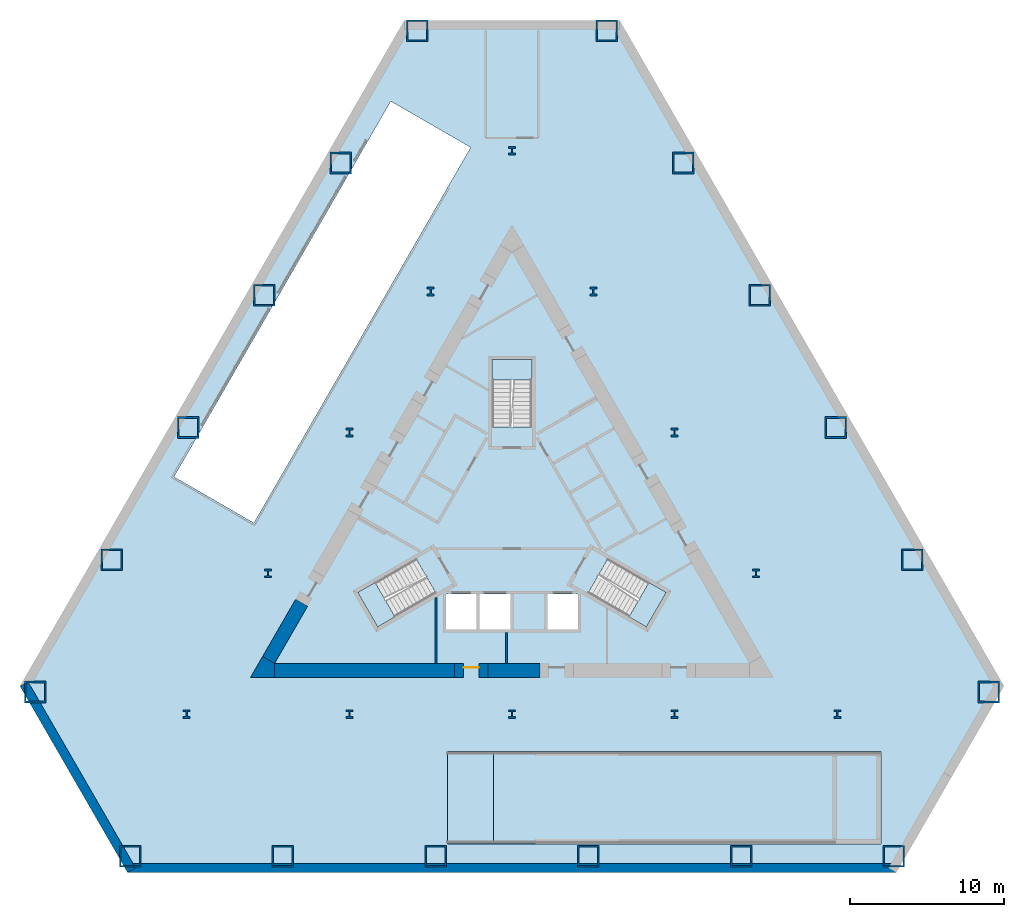
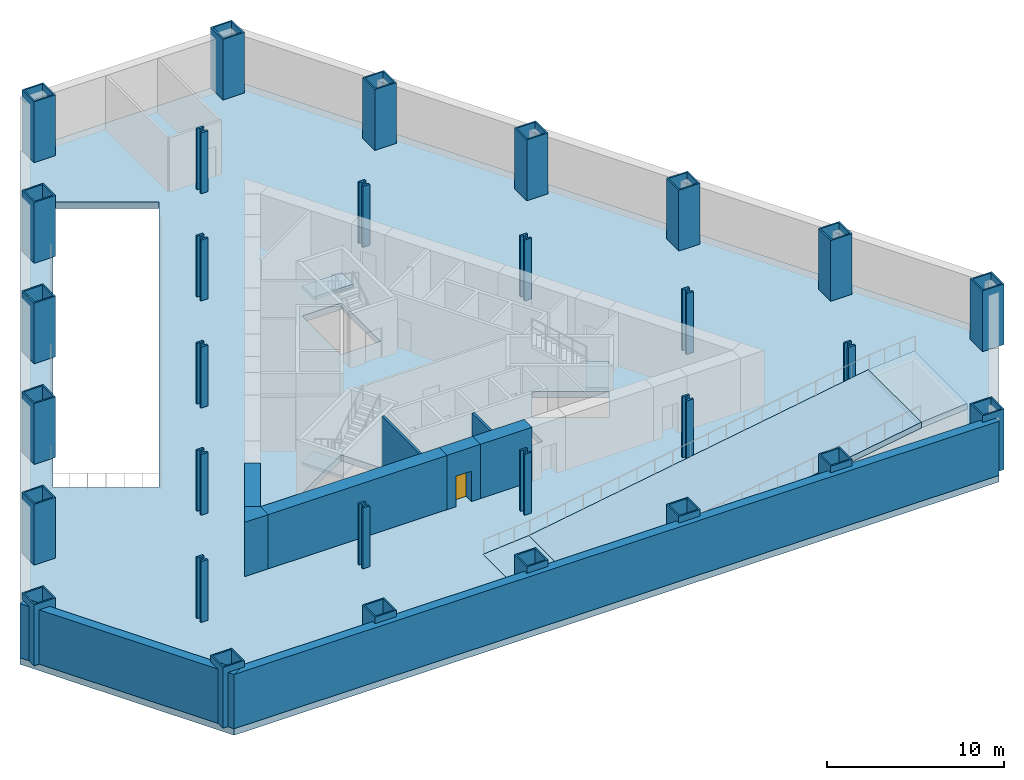
# One storey, part 1 of 5: 30 columns, 9 walls, 7 slabs, 1 door, 1 opening, 3 elements without a shape of their own.
"""IFC4 building model written with IfcOpenShell, lengths in metres."""

from ifc_helpers import new_model, si_unit, direction, frame, frame_2d, origin, origin_2d, place, context, subcontext, project, spatial, polyline, rectangle, hollow_rectangle, i_section, outline, extrude, material, layer, layer_set, material_profile, profile_set, type_object, element, fill, aggregate, save


model = new_model("IFC4")

# Units and contexts
model_context = context("Model", 3, precision=1e-05, world=origin(), true_north=direction((0.0, 1.0)))
body_context = subcontext(model_context, "Body", "Model", "MODEL_VIEW")
ifc_project = project(units=[si_unit("LENGTHUNIT", "METRE"), si_unit("AREAUNIT", "SQUARE_METRE"), si_unit("VOLUMEUNIT", "CUBIC_METRE"), si_unit("PLANEANGLEUNIT", "RADIAN"), si_unit("MASSUNIT", "GRAM", prefix="KILO")], contexts=[model_context])

# Site, building, storey
site_placement = place(None, origin())
site = spatial("IfcSite", under=ifc_project, at=site_placement, CompositionType="ELEMENT")
building_placement = place(site_placement, origin())
building = spatial("IfcBuilding", under=site, at=building_placement, Name="Cormorant Prow Tower", CompositionType="ELEMENT")
storey_placement = place(building_placement, frame((0.0, 0.0, -4.199951171875)))
storey = spatial("IfcBuildingStorey", under=building, at=storey_placement, Name="B1", CompositionType="ELEMENT", Elevation=-4.199951171875)

# Columns
ifc_material_1 = material(Name="Structural steel ASTM A572 Gr 50", Category="steel")
ifc_material_profile_1 = material_profile(ifc_material_1, hollow_rectangle(XDim=1.39990234375, YDim=1.39990234375, WallThickness=0.10009765625, at=origin_2d()), Name="Box 1400x1400x100")
ifc_profile_set_1 = profile_set([ifc_material_profile_1], Name="Structural steel ASTM A572 Gr 50")
column_type_1 = type_object("IfcColumnType", Name="Perimeter box column 1400x1400x100", PredefinedType="COLUMN", material=ifc_profile_set_1)
for number, where, z_axis, x_axis, name in (
    (1, (-24.830322265625, -21.4599609375, 0.0), (0.0, 0.0, 1.0), (1.0, 0.0, 0.0), "Perimeter column at S00 B1"),
    (2, (-14.898193359375, -21.4599609375, 0.0), (0.0, 0.0, 1.0), (1.0, 0.0, 0.0), "Perimeter column at S02 B1"),
    (3, (-4.966064453125, -21.4599609375, 0.0), (0.0, 0.0, 1.0), (1.0, 0.0, 0.0), "Perimeter column at S04 B1"),
    (4, (4.966064453125, -21.4599609375, 0.0), (0.0, 0.0, 1.0), (1.0, 0.0, 0.0), "Perimeter column at S06 B1"),
    (5, (14.898193359375, -21.4599609375, 0.0), (0.0, 0.0, 1.0), (1.0, 0.0, 0.0), "Perimeter column at S08 B1"),
    (6, (24.830322265625, -21.4599609375, 0.0), (0.0, 0.0, 1.0), (1.0, 0.0, 0.0), "Perimeter column at ESE00 B1"),
    (7, (31.0, -10.773681640625, 0.0), (0.0, 0.0, 1.0), (1.0, 0.0, 0.0), "Perimeter column at ENE00 B1"),
    (8, (26.033935546875, -2.17236328125, 0.0), (0.0, 0.0, 1.0), (1.0, 0.0, 0.0), "Perimeter column at ENE02 B1"),
    (9, (21.06787109375, 6.42919921875, 0.0), (0.0, 0.0, 1.0), (1.0, 0.0, 0.0), "Perimeter column at ENE04 B1"),
    (10, (16.101806640625, 15.03076171875, 0.0), (0.0, 0.0, 1.0), (1.0, 0.0, 0.0), "Perimeter column at ENE06 B1"),
    (11, (11.1357421875, 23.632080078125, 0.0), (0.0, 0.0, 1.0), (1.0, 0.0, 0.0), "Perimeter column at ENE08 B1"),
    (12, (6.169677734375, 32.233642578125, 0.0), (0.0, 0.0, 1.0), (1.0, 0.0, 0.0), "Perimeter column at N00 B1"),
    (13, (-6.169677734375, 32.233642578125, 0.0), (0.0, 0.0, 1.0), (1.0, 0.0, 0.0), "Perimeter column at WNW00 B1"),
    (14, (-11.1357421875, 23.632080078125, 0.0), (0.0, 0.0, 1.0), (1.0, 0.0, 0.0), "Perimeter column at WNW02 B1"),
    (15, (-16.101806640625, 15.03076171875, 0.0), (0.0, 0.0, 1.0), (1.0, 0.0, 0.0), "Perimeter column at WNW04 B1"),
    (16, (-21.06787109375, 6.42919921875, 0.0), (0.0, 0.0, 1.0), (1.0, 0.0, 0.0), "Perimeter column at WNW06 B1"),
    (17, (-26.033935546875, -2.17236328125, 0.0), (0.0, 0.0, 1.0), (1.0, 0.0, 0.0), "Perimeter column at WNW08 B1"),
    (18, (-31.0, -10.773681640625, 0.0), (0.0, 0.0, 1.0), (1.0, 0.0, 0.0), "Perimeter column at WSW00 B1"),
):
    element("IfcColumn", number, at=place(storey_placement, frame(where, z_axis=z_axis, x_axis=x_axis)), inside=storey, type_object=column_type_1, Name=name, PredefinedType="COLUMN", context=body_context, shape_type="SweptSolid", body=[
        extrude(hollow_rectangle(XDim=1.39990234375, YDim=1.39990234375, WallThickness=0.10009765625, at=origin_2d()), origin(), (0.0, 0.0, 1.0), 4.199951171875),
    ])
ifc_material_2 = material(Name="Structural steel ASTM A992 Gr 50", Category="steel")
ifc_material_profile_2 = material_profile(ifc_material_2, i_section(OverallWidth=0.454345703125, OverallDepth=0.569580078125, WebThickness=0.077880859375, FlangeThickness=0.124755859375, at=origin_2d()), Name="W14x730")
ifc_profile_set_2 = profile_set([ifc_material_profile_2], Name="Structural steel ASTM A992 Gr 50")
column_type_2 = type_object("IfcColumnType", Name="Ring column W14x730", PredefinedType="COLUMN", material=ifc_profile_set_2)
for number, where, z_axis, x_axis, name in (
    (19, (0.0, 24.429931640625, 0.0), (0.0, 0.0, 1.0), (1.0, 0.0, 0.0), "Ring column 1 B1"),
    (20, (-5.289306640625, 15.268798828125, 0.0), (0.0, 0.0, 1.0), (1.0, 0.0, 0.0), "Ring column 2 B1"),
    (21, (-10.578369140625, 6.107421875, 0.0), (0.0, 0.0, 1.0), (1.0, 0.0, 0.0), "Ring column 3 B1"),
    (22, (-15.86767578125, -3.0537109375, 0.0), (0.0, 0.0, 1.0), (1.0, 0.0, 0.0), "Ring column 4 B1"),
    (23, (-21.156982421875, -12.21484375, 0.0), (0.0, 0.0, 1.0), (1.0, 0.0, 0.0), "Ring column 5 B1"),
    (24, (-10.578369140625, -12.21484375, 0.0), (0.0, 0.0, 1.0), (1.0, 0.0, 0.0), "Ring column 6 B1"),
    (25, (0.0, -12.21484375, 0.0), (0.0, 0.0, 1.0), (1.0, 0.0, 0.0), "Ring column 7 B1"),
    (26, (10.578369140625, -12.21484375, 0.0), (0.0, 0.0, 1.0), (1.0, 0.0, 0.0), "Ring column 8 B1"),
    (27, (21.156982421875, -12.21484375, 0.0), (0.0, 0.0, 1.0), (1.0, 0.0, 0.0), "Ring column 9 B1"),
    (28, (15.86767578125, -3.0537109375, 0.0), (0.0, 0.0, 1.0), (1.0, 0.0, 0.0), "Ring column 10 B1"),
    (29, (10.578369140625, 6.107421875, 0.0), (0.0, 0.0, 1.0), (1.0, 0.0, 0.0), "Ring column 11 B1"),
    (30, (5.289306640625, 15.268798828125, 0.0), (0.0, 0.0, 1.0), (1.0, 0.0, 0.0), "Ring column 12 B1"),
):
    element("IfcColumn", number, at=place(storey_placement, frame(where, z_axis=z_axis, x_axis=x_axis)), inside=storey, type_object=column_type_2, Name=name, PredefinedType="COLUMN", context=body_context, shape_type="SweptSolid", body=[
        extrude(i_section(OverallWidth=0.454345703125, OverallDepth=0.569580078125, WebThickness=0.077880859375, FlangeThickness=0.124755859375, at=origin_2d()), origin(), (0.0, 0.0, 1.0), 4.199951171875),
    ])

# Slab
ifc_material_3 = material(Name="Concrete C40/50", Category="concrete")
ifc_layer_1 = layer(ifc_material_3, 0.449951171875)
ifc_layer_set_1 = layer_set([ifc_layer_1], Name="Concrete C40/50")
slab_type_1 = type_object("IfcSlabType", Name="Post-tensioned flat slab 450", PredefinedType="FLOOR", material=ifc_layer_set_1)
slab_1_placement = place(storey_placement, frame((0.0, 0.0, -0.449951171875)))
element("IfcSlab", 31, at=slab_1_placement, inside=storey, type_object=slab_type_1, Name="Floor slab B1", PredefinedType="FLOOR", context=body_context, shape_type="SweptSolid", body=[
    extrude(outline(polyline([(-17.0, 15.58837890625), (-19.5, 11.25830078125), (-22.0, 6.92822265625), (-24.5, 2.59814453125), (-27.0, -1.73193359375), (-29.5, -6.062255859375), (-32.0, -10.392333984375), (-28.5, -16.45458984375), (-25.0, -22.5166015625), (-20.0, -22.5166015625), (-15.0, -22.5166015625), (-10.0, -22.5166015625), (-5.0, -22.5166015625), (0.0, -22.5166015625), (5.0, -22.5166015625), (10.0, -22.5166015625), (15.0, -22.5166015625), (20.0, -22.5166015625), (25.0, -22.5166015625), (28.5, -16.45458984375), (32.0, -10.392333984375), (29.5, -6.062255859375), (27.0, -1.73193359375), (24.5, 2.59814453125), (22.0, 6.92822265625), (19.5, 11.25830078125), (17.0, 15.58837890625), (14.5, 19.918701171875), (12.0, 24.248779296875), (9.5, 28.578857421875), (7.0, 32.908935546875), (0.0, 32.908935546875), (-7.0, 32.908935546875), (-9.5, 28.578857421875), (-12.0, 24.248779296875), (-14.5, 19.918701171875), (-17.0, 15.58837890625)]), holes=[polyline([(-2.300048828125, -6.699951171875), (-4.300048828125, -6.699951171875), (-4.300048828125, -4.39990234375), (-2.300048828125, -4.39990234375), (-2.300048828125, -6.699951171875)]), polyline([(-2.10009765625, -6.699951171875), (-2.10009765625, -4.39990234375), (-0.10009765625, -4.39990234375), (-0.10009765625, -6.699951171875), (-2.10009765625, -6.699951171875)]), polyline([(2.300048828125, -4.39990234375), (4.300048828125, -4.39990234375), (4.300048828125, -6.699951171875), (2.300048828125, -6.699951171875), (2.300048828125, -4.39990234375)]), polyline([(-10.031982421875, -4.2978515625), (-6.241455078125, -2.109375), (-4.947509765625, -4.3505859375), (-8.738037109375, -6.5390625), (-10.031982421875, -4.2978515625)]), polyline([(4.947509765625, -4.3505859375), (6.241455078125, -2.109375), (10.031982421875, -4.2978515625), (8.738037109375, -6.5390625), (4.947509765625, -4.3505859375)]), polyline([(-1.2939453125, 6.459716796875), (-1.2939453125, 10.8369140625), (1.2939453125, 10.8369140625), (1.2939453125, 6.459716796875), (-1.2939453125, 6.459716796875)]), polyline([(-4.199951171875, -20.64990234375), (-4.199951171875, -14.64990234375), (-0.25, -14.64990234375), (-0.25, -20.64990234375), (-4.199951171875, -20.64990234375)]), polyline([(-16.787353515625, 0.2236328125), (-21.9833984375, 3.2236328125), (-7.88330078125, 27.6455078125), (-2.687255859375, 24.6455078125), (-16.787353515625, 0.2236328125)])]), origin(), (0.0, 0.0, 1.0), 0.449951171875),
])

# Stair, slab
ifc_material_4 = material(Name="Exit stair 24 risers")
stair_type = type_object("IfcStairType", Name="Exit stair 24 risers", PredefinedType="HALF_TURN_STAIR", material=ifc_material_4)
stair_1_placement = place(storey_placement, origin())
stair_1 = element("IfcStair", 32, at=stair_1_placement, inside=storey, type_object=stair_type, Name="B1 Exit stair ST1", PredefinedType="HALF_TURN_STAIR")
ifc_material_5 = material(Name="Concrete 5000 psi", Category="concrete")
ifc_layer_2 = layer(ifc_material_5, 0.199951171875)
ifc_layer_set_2 = layer_set([ifc_layer_2], Name="Concrete 5000 psi")
slab_type_2 = type_object("IfcSlabType", Name="Stair landing 200", PredefinedType="LANDING", material=ifc_layer_set_2)
slab_2_placement = place(storey_placement, frame((0.0, 0.0, 1.89990234375)))
slab_2 = element("IfcSlab", 33, at=slab_2_placement, type_object=slab_type_2, Name="ST1 landing 1", PredefinedType="LANDING", context=body_context, shape_type="SweptSolid", body=[
    extrude(outline(polyline([(-8.90185546875, -3.645263671875), (-10.031982421875, -4.2978515625), (-8.738037109375, -6.5390625), (-7.60791015625, -5.886474609375), (-8.90185546875, -3.645263671875)])), origin(), (0.0, 0.0, 1.0), 0.199951171875),
])
aggregate(stair_1, [slab_2])

stair_2_placement = place(storey_placement, origin())
stair_2 = element("IfcStair", 34, at=stair_2_placement, inside=storey, type_object=stair_type, Name="B1 Exit stair ST2", PredefinedType="HALF_TURN_STAIR")
slab_3_placement = place(storey_placement, frame((0.0, 0.0, 1.89990234375)))
slab_3 = element("IfcSlab", 35, at=slab_3_placement, type_object=slab_type_2, Name="ST2 landing 1", PredefinedType="LANDING", context=body_context, shape_type="SweptSolid", body=[
    extrude(outline(polyline([(7.60791015625, -5.886474609375), (8.738037109375, -6.5390625), (10.031982421875, -4.2978515625), (8.90185546875, -3.645263671875), (7.60791015625, -5.886474609375)])), origin(), (0.0, 0.0, 1.0), 0.199951171875),
])
aggregate(stair_2, [slab_3])

stair_3_placement = place(storey_placement, origin())
stair_3 = element("IfcStair", 36, at=stair_3_placement, inside=storey, type_object=stair_type, Name="B1 Exit stair ST3", PredefinedType="HALF_TURN_STAIR")
slab_4_placement = place(storey_placement, frame((0.0, 0.0, 1.89990234375)))
slab_4 = element("IfcSlab", 37, at=slab_4_placement, type_object=slab_type_2, Name="ST3 landing 1", PredefinedType="LANDING", context=body_context, shape_type="SweptSolid", body=[
    extrude(outline(polyline([(1.2939453125, 9.53173828125), (1.2939453125, 10.8369140625), (-1.2939453125, 10.8369140625), (-1.2939453125, 9.53173828125), (1.2939453125, 9.53173828125)])), origin(), (0.0, 0.0, 1.0), 0.199951171875),
])
aggregate(stair_3, [slab_4])

# Slabs
ifc_material_6 = material(Name="Concrete 5000 psi", Category="concrete")
ifc_layer_3 = layer(ifc_material_6, 0.39990234375)
ifc_layer_set_3 = layer_set([ifc_layer_3], Name="Concrete 5000 psi")
slab_type_3 = type_object("IfcSlabType", Name="Vehicle ramp R1 slab 400", PredefinedType="USERDEFINED", material=ifc_layer_set_3)
slab_5_placement = place(storey_placement, frame((24.0, -14.64990234375, 4.199951171875), z_axis=(-0.083045479854, 0.0, 0.996545758245), x_axis=(-0.996545758245, 0.0, -0.083045479854)))
element("IfcSlab", 38, at=slab_5_placement, inside=storey, type_object=slab_type_3, Name="Vehicle ramp R1 slab 1", ObjectType="RAMP SLAB", PredefinedType="USERDEFINED", context=body_context, shape_type="SweptSolid", body=[
    extrude(outline(polyline([(0.0, 0.0), (1.505199322349037, 0.0), (3.010398644698074, 0.0), (3.010398644698074, 6.0), (1.505199322349037, 6.0), (0.0, 6.0), (0.0, 0.0)])), origin(), (0.083045479854, 0.0, -0.996545758245), 0.4013671875),
])
slab_6_placement = place(storey_placement, frame((21.0, -14.64990234375, 3.949951171875), z_axis=(-0.164397228215, 0.0, 0.986394217012), x_axis=(-0.986394217012, 0.0, -0.164397228215)))
element("IfcSlab", 39, at=slab_6_placement, inside=storey, type_object=slab_type_3, Name="Vehicle ramp R1 slab 2", ObjectType="RAMP SLAB", PredefinedType="USERDEFINED", context=body_context, shape_type="SweptSolid", body=[
    extrude(outline(polyline([(0.0, 0.0), (1.5003815781312153, 0.0), (3.000803292304475, 0.0), (4.50118487043569, 0.0), (6.00160658460895, 0.0), (7.501988162740165, 0.0), (9.00236974087138, 0.0), (10.503032273945278, 0.0), (12.003413852076493, 0.0), (13.503795430207708, 0.0), (15.004217144380968, 0.0), (16.504598722512185, 0.0), (18.004980300643396, 0.0), (19.505402014816656, 0.0), (21.005783592947875, 0.0), (22.50616517107909, 0.0), (22.50616517107909, 6.0), (21.005783592947875, 6.0), (19.505402014816656, 6.0), (18.004980300643396, 6.0), (16.504598722512185, 6.0), (15.004217144380968, 6.0), (13.503795430207708, 6.0), (12.003413852076493, 6.0), (10.503032273945278, 6.0), (9.00236974087138, 6.0), (7.501988162740165, 6.0), (6.00160658460895, 6.0), (4.50118487043569, 6.0), (3.000803292304475, 6.0), (1.5003815781312153, 6.0), (0.0, 6.0), (0.0, 0.0)])), origin(), (0.164397228215, 0.0, -0.986394217012), 0.405517578125),
])
slab_7_placement = place(storey_placement, frame((-1.199951171875, -14.64990234375, 0.25), z_axis=(-0.083045479854, 0.0, 0.996545758245), x_axis=(-0.996545758245, 0.0, -0.083045479854)))
element("IfcSlab", 40, at=slab_7_placement, inside=storey, type_object=slab_type_3, Name="Vehicle ramp R1 slab 3", ObjectType="RAMP SLAB", PredefinedType="USERDEFINED", context=body_context, shape_type="SweptSolid", body=[
    extrude(outline(polyline([(0.0, 0.0), (1.505199322349037, 0.0), (3.010398644698074, 0.0), (3.010398644698074, 6.0), (1.505199322349037, 6.0), (0.0, 6.0), (0.0, 0.0)])), origin(), (0.083045479854, 0.0, -0.996545758245), 0.4013671875),
])

# Walls
ifc_material_7 = material(Name="Concrete C45/55", Category="concrete")
ifc_layer_4 = layer(ifc_material_7, 0.60009765625)
ifc_layer_set_4 = layer_set([ifc_layer_4], Name="Concrete C45/55")
wall_type_1 = type_object("IfcWallType", Name="Basement retaining wall 600", PredefinedType="SOLIDWALL", material=ifc_layer_set_4)
wall_1_placement = place(storey_placement, frame((-25.0, -22.216552734375, 0.0), z_axis=(0.0, 0.0, 1.0), x_axis=(1.0, 0.0, 0.0)))
element("IfcWall", 41, at=wall_1_placement, inside=storey, type_object=wall_type_1, Name="Basement retaining wall 1 at B1", PredefinedType="SOLIDWALL", context=body_context, shape_type="SweptSolid", body=[
    extrude(rectangle(XDim=50.0, YDim=0.60009765625, at=frame_2d((25.0, 0.0))), origin(), (0.0, 0.0, 1.0), 3.75),
])
wall_2_placement = place(storey_placement, frame((-31.740234375, -10.2421875, 0.0), z_axis=(0.0, 0.0, 1.0), x_axis=(0.499995173006, -0.866028190633, 0.0)))
element("IfcWall", 42, at=wall_2_placement, inside=storey, type_object=wall_type_1, Name="Basement retaining wall 7 at B1", PredefinedType="SOLIDWALL", context=body_context, shape_type="SweptSolid", body=[
    extrude(rectangle(XDim=14.000244140625, YDim=0.60009765625, at=frame_2d((7.0, 0.0))), origin(), (0.0, 0.0, 1.0), 3.75),
])
ifc_material_8 = material(Name="Gypsum board partition")
ifc_layer_5 = layer(ifc_material_8, 0.14990234375)
ifc_layer_set_5 = layer_set([ifc_layer_5], Name="Gypsum board partition")
wall_type_2 = type_object("IfcWallType", Name="Core partition 150", PredefinedType="PARTITIONING", material=ifc_layer_set_5)
wall_3_placement = place(storey_placement, frame((-0.361328125, -8.9150390625, 0.0), z_axis=(0.0, 0.0, 1.0), x_axis=(0.0, 1.0, 0.0)))
element("IfcWall", 43, at=wall_3_placement, inside=storey, type_object=wall_type_2, Name="Service room partition", PredefinedType="PARTITIONING", context=body_context, shape_type="SweptSolid", body=[
    extrude(rectangle(XDim=2.009033203125, YDim=0.14990234375, at=frame_2d((1.00439453125, 0.0))), origin(), (0.0, 0.0, 1.0), 3.75),
])
wall_4_placement = place(storey_placement, frame((-4.937744140625, -8.9150390625, 0.0), z_axis=(0.0, 0.0, 1.0), x_axis=(0.0, 1.0, 0.0)))
element("IfcWall", 44, at=wall_4_placement, inside=storey, type_object=wall_type_2, Name="Service room partition", PredefinedType="PARTITIONING", context=body_context, shape_type="SweptSolid", body=[
    extrude(rectangle(XDim=4.291259765625, YDim=0.14990234375, at=frame_2d((2.1455078125, 0.0))), origin(), (0.0, 0.0, 1.0), 3.75),
])
ifc_material_9 = material(Name="Concrete 8000 psi", Category="concrete")
ifc_layer_6 = layer(ifc_material_9, 0.89990234375)
ifc_layer_set_6 = layer_set([ifc_layer_6], Name="Concrete 8000 psi")
wall_type_3 = type_object("IfcWallType", Name="Core shear wall 900", PredefinedType="SHEAR", material=ifc_layer_set_6)
wall_5_placement = place(storey_placement, frame((-15.441162109375, -9.364990234375, 0.0), z_axis=(0.0, 0.0, 1.0), x_axis=(1.0, 0.0, 0.0)))
element("IfcWall", 45, at=wall_5_placement, inside=storey, type_object=wall_type_3, Name="Core wall", PredefinedType="SHEAR", context=body_context, shape_type="SweptSolid", body=[
    extrude(rectangle(XDim=11.691650390625, YDim=0.89990234375, at=frame_2d((5.845703125, 0.0))), origin(), (0.0, 0.0, 1.0), 3.75),
])
wall_6_placement = place(storey_placement, frame((-1.549560546875, -9.364990234375, 0.0), z_axis=(0.0, 0.0, 1.0), x_axis=(1.0, 0.0, 0.0)))
element("IfcWall", 46, at=wall_6_placement, inside=storey, type_object=wall_type_3, Name="Core wall", PredefinedType="SHEAR", context=body_context, shape_type="SweptSolid", body=[
    extrude(rectangle(XDim=3.357177734375, YDim=0.89990234375, at=frame_2d((1.6787109375, 0.0))), origin(), (0.0, 0.0, 1.0), 3.75),
])
wall_7_placement = place(storey_placement, frame((-13.68310546875, -4.969970703125, 0.0), z_axis=(0.0, 0.0, 1.0), x_axis=(-0.499996331799, -0.866027521611, 0.0)))
element("IfcWall", 47, at=wall_7_placement, inside=storey, type_object=wall_type_3, Name="Core wall", PredefinedType="SHEAR", context=body_context, shape_type="SweptSolid", body=[
    extrude(rectangle(XDim=4.29541015625, YDim=0.89990234375, at=frame_2d((2.147705078125, 0.0))), origin(), (0.0, 0.0, 1.0), 3.75),
])
wall_8_placement = place(storey_placement, origin())
element("IfcWall", 48, at=wall_8_placement, inside=storey, type_object=wall_type_3, Name="Core wall corner", PredefinedType="SHEAR", context=body_context, shape_type="SweptSolid", body=[
    extrude(outline(polyline([(-16.220703125, -8.465087890625), (-15.441162109375, -8.9150390625), (-15.441162109375, -9.81494140625), (-17.0, -9.81494140625), (-16.220703125, -8.465087890625)])), origin(), (0.0, 0.0, 1.0), 3.75),
])

# Wall, opening, door
wall_9_placement = place(storey_placement, frame((-3.74951171875, -9.364990234375, 0.0), z_axis=(0.0, 0.0, 1.0), x_axis=(1.0, 0.0, 0.0)))
wall_9 = element("IfcWall", 49, at=wall_9_placement, inside=storey, type_object=wall_type_3, Name="Core wall door panel", PredefinedType="SHEAR", context=body_context, shape_type="SweptSolid", body=[
    extrude(rectangle(XDim=2.199951171875, YDim=0.89990234375, at=frame_2d((1.10009765625, 0.0))), origin(), (0.0, 0.0, 1.0), 3.75),
])
opening_placement = place(wall_9_placement, frame((0.60009765625, 0.0, 0.0)))
opening = element("IfcOpeningElement", 50, at=opening_placement, cuts=wall_9, Name="Opening B1-C10", PredefinedType="OPENING", context=body_context, shape_type="SweptSolid", body=[
    extrude(rectangle(XDim=1.0, YDim=2.10009765625, at=frame_2d((0.5, 1.050048828125))), frame((0.0, 0.4599609375, 0.0), z_axis=(0.0, -1.0, 0.0), x_axis=(1.0, 0.0, 0.0)), (0.0, 0.0, 1.0), 0.919921875),
])
ifc_material_10 = material(Name="Painted steel", Category="steel")
door_type = type_object("IfcDoorType", Name="Service door 1000x2100", OperationType="NOTDEFINED", PredefinedType="DOOR", material=ifc_material_10)
door_placement = place(opening_placement, origin())
door = element("IfcDoor", 51, at=door_placement, inside=storey, type_object=door_type, Name="Core door, Housekeeping store", OperationType="SINGLE_SWING_RIGHT", OverallHeight=2.10009765625, OverallWidth=1.0, PredefinedType="DOOR", context=body_context, shape_type="SweptSolid", body=[
    extrude(rectangle(XDim=1.0, YDim=2.10009765625, at=frame_2d((0.5, 1.050048828125))), frame((0.0, 0.205078125, 0.0), z_axis=(0.0, -1.0, 0.0), x_axis=(1.0, 0.0, 0.0)), (0.0, 0.0, 1.0), 0.050048828125),
])
fill(opening, door)

save(model, "model.ifc")
